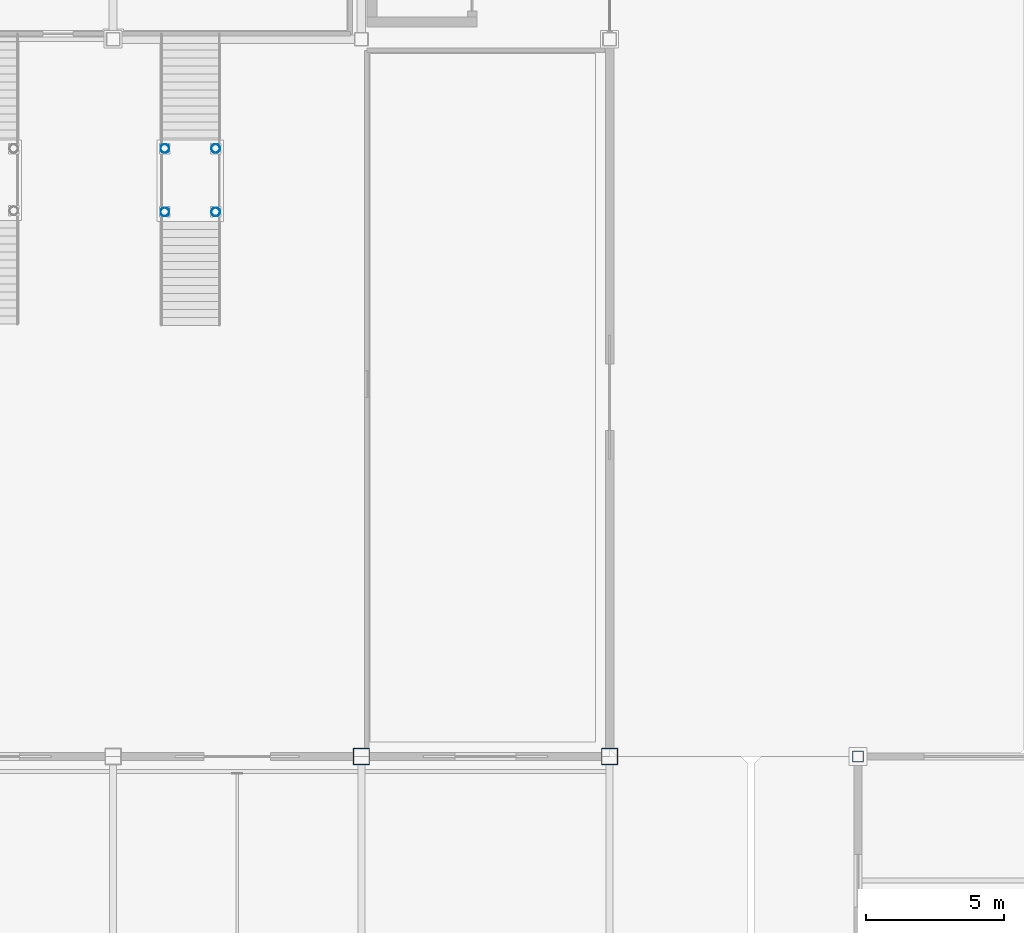
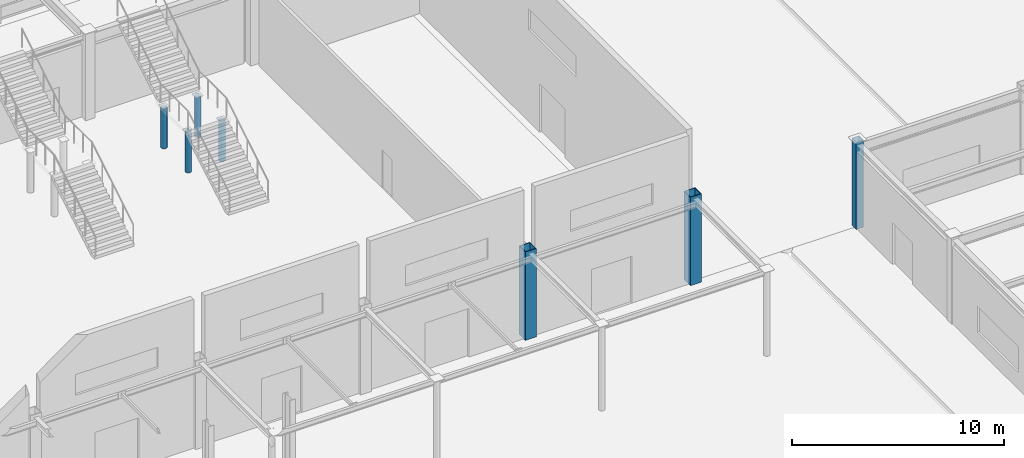
# One storey, part 11 of 123: 7 columns.
"""IFC4 building model written with IfcOpenShell, lengths in metres."""

from ifc_helpers import new_model, si_unit, direction, frame, origin, origin_2d, place, context, subcontext, project, spatial, hollow_rectangle, hollow_circle, extrude, material, material_profile, profile_set, type_object, element, save


model = new_model("IFC4")

# Units and contexts
model_context = context("Model", 3, precision=1e-05, world=origin(), true_north=direction((0.0, 1.0)))
body_context = subcontext(model_context, "Body", "Model", "MODEL_VIEW")
ifc_project = project(units=[si_unit("LENGTHUNIT", "METRE"), si_unit("AREAUNIT", "SQUARE_METRE"), si_unit("VOLUMEUNIT", "CUBIC_METRE"), si_unit("PLANEANGLEUNIT", "RADIAN"), si_unit("MASSUNIT", "GRAM", prefix="KILO")], contexts=[model_context])

# Site, building, storey
site_placement = place(None, origin())
site = spatial("IfcSite", under=ifc_project, at=site_placement, CompositionType="ELEMENT")
building_placement = place(site_placement, origin())
building = spatial("IfcBuilding", under=site, at=building_placement, Name="Suzunagisa Mobility Hub", CompositionType="ELEMENT")
storey_placement = place(building_placement, origin())
storey = spatial("IfcBuildingStorey", under=building, at=storey_placement, Name="L00", CompositionType="ELEMENT", Elevation=0.0)

# Columns
ifc_material = material(Name="Steel SN490B", Category="steel")
ifc_material_profile_1 = material_profile(ifc_material, hollow_rectangle(XDim=0.60009765625, YDim=0.60009765625, WallThickness=0.031982421875, at=origin_2d()), Name="BOX-600x600x32")
ifc_profile_set_1 = profile_set([ifc_material_profile_1], Name="Steel SN490B")
column_type_1 = type_object("IfcColumnType", Name="Steel Column CL-05 BOX-600x600x32", PredefinedType="COLUMN", material=ifc_profile_set_1)
for number, where, z_axis, x_axis, name in (
    (1, (108.0, 36.0, 0.0), (0.0, 0.0, 1.0), (1.0, 0.0, 0.0), "L00 Column 201"),
    (2, (117.0, 36.0, 0.0), (0.0, 0.0, 1.0), (1.0, 0.0, 0.0), "L00 Column 212"),
):
    element("IfcColumn", number, at=place(storey_placement, frame(where, z_axis=z_axis, x_axis=x_axis)), inside=storey, type_object=column_type_1, Name=name, PredefinedType="COLUMN", context=body_context, shape_type="SweptSolid", body=[
        extrude(hollow_rectangle(XDim=0.60009765625, YDim=0.60009765625, WallThickness=0.031982421875, at=origin_2d()), origin(), (0.0, 0.0, 1.0), 5.10009765625),
    ])
ifc_material_profile_2 = material_profile(ifc_material, hollow_circle(Radius=0.1591796875, WallThickness=0.01025390625, at=origin_2d()), Name="CHS-318.5x10.3")
ifc_profile_set_2 = profile_set([ifc_material_profile_2], Name="Steel SN490B")
column_type_2 = type_object("IfcColumnType", Name="Steel Column CL-09 CHS-318.5x10.3", PredefinedType="COLUMN", material=ifc_profile_set_2)
for number, where, z_axis, x_axis, name in (
    (3, (100.8798828125, 55.739990234375, 0.0), (0.0, 0.0, 1.0), (1.0, 0.0, 0.0), "L00 Concourse Stair Post CS-06-1"),
    (4, (102.719970703125, 55.739990234375, 0.0), (0.0, 0.0, 1.0), (1.0, 0.0, 0.0), "L00 Concourse Stair Post CS-06-2"),
    (5, (100.8798828125, 58.0400390625, 0.0), (0.0, 0.0, 1.0), (1.0, 0.0, 0.0), "L00 Concourse Stair Post CS-06-3"),
    (6, (102.719970703125, 58.0400390625, 0.0), (0.0, 0.0, 1.0), (1.0, 0.0, 0.0), "L00 Concourse Stair Post CS-06-4"),
):
    element("IfcColumn", number, at=place(storey_placement, frame(where, z_axis=z_axis, x_axis=x_axis)), inside=storey, type_object=column_type_2, Name=name, PredefinedType="COLUMN", context=body_context, shape_type="SweptSolid", body=[
        extrude(hollow_circle(Radius=0.1591796875, WallThickness=0.01025390625, at=origin_2d()), origin(), (0.0, 0.0, 1.0), 2.35009765625),
    ])
ifc_material_profile_3 = material_profile(ifc_material, hollow_rectangle(XDim=0.39990234375, YDim=0.39990234375, WallThickness=0.01904296875, at=origin_2d()), Name="BCR-400x400x19")
ifc_profile_set_3 = profile_set([ifc_material_profile_3], Name="Steel SN490B")
column_type_3 = type_object("IfcColumnType", Name="Steel Column CL-13 BCR-400x400x19", PredefinedType="COLUMN", material=ifc_profile_set_3)
column_placement = place(storey_placement, frame((126.0, 36.0, 0.0), z_axis=(0.0, 0.0, 1.0), x_axis=(1.0, 0.0, 0.0)))
element("IfcColumn", 7, at=column_placement, inside=storey, type_object=column_type_3, Name="L00 Column 232", PredefinedType="COLUMN", context=body_context, shape_type="SweptSolid", body=[
    extrude(hollow_rectangle(XDim=0.39990234375, YDim=0.39990234375, WallThickness=0.01904296875, at=origin_2d()), origin(), (0.0, 0.0, 1.0), 5.0400390625),
])

save(model, "model.ifc")
